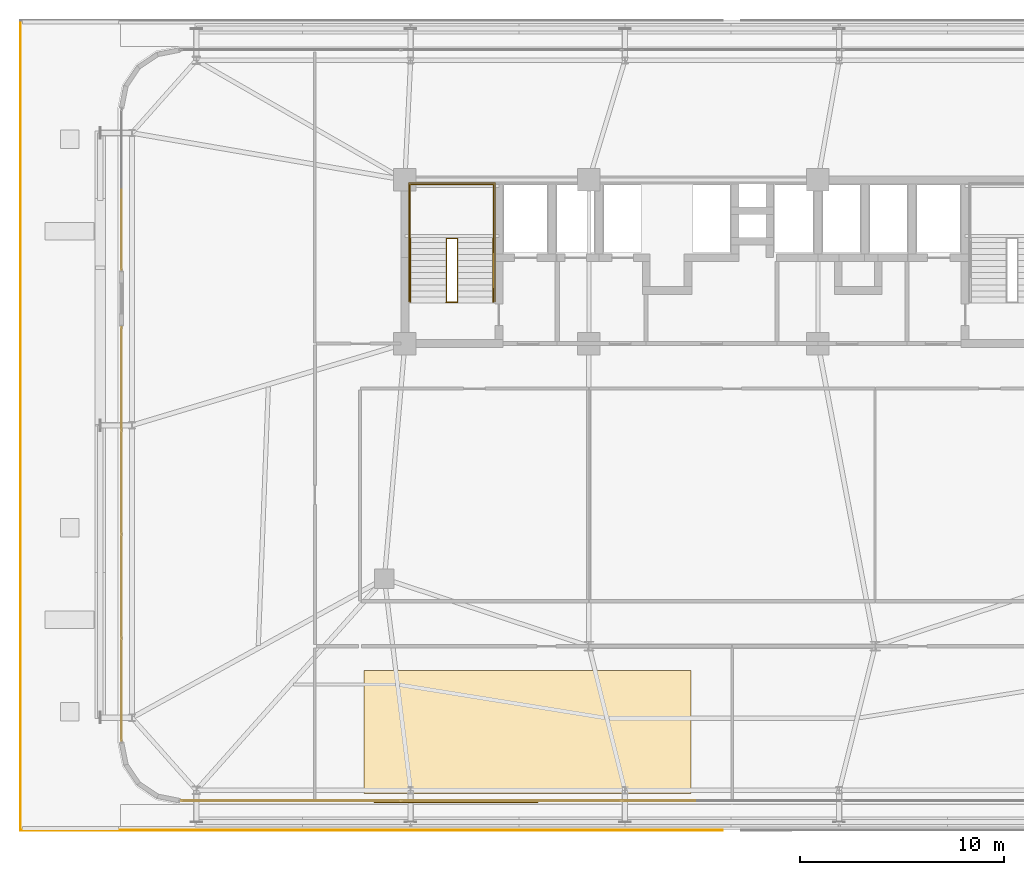
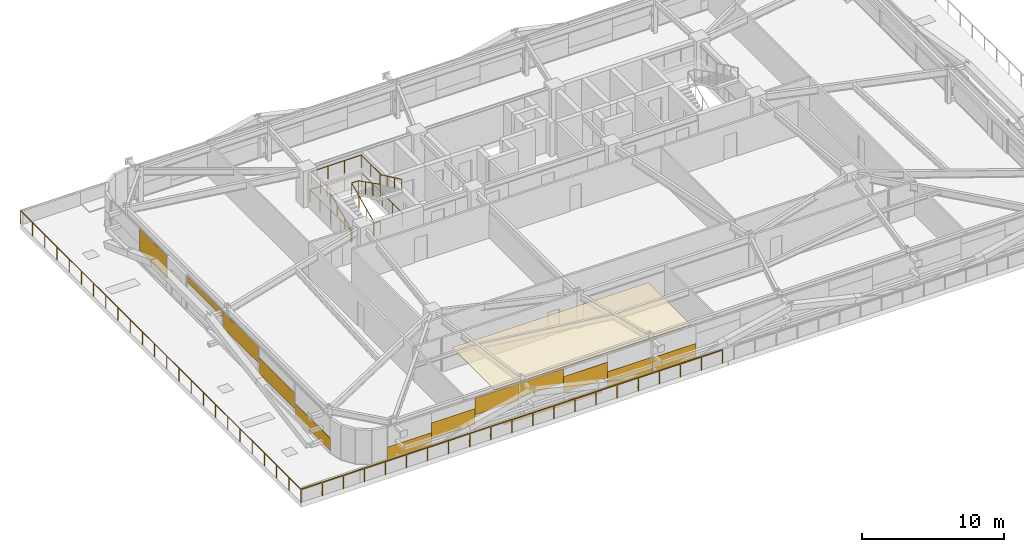
# One storey, part 53 of 56: 14 coverings, 8 railings.
"""IFC4 building model written with IfcOpenShell, lengths in metres."""

from ifc_helpers import new_model, si_unit, direction, frame, origin, origin_2d, place, context, subcontext, project, spatial, rectangle, extrude, source, transform, mapped, material, layer, layer_set, type_object, element, save


model = new_model("IFC4")

# Units and contexts
model_context = context("Model", 3, precision=1e-05, world=origin(), true_north=direction((0.0, 1.0)))
body_context = subcontext(model_context, "Body", "Model", "MODEL_VIEW")
ifc_project = project(units=[si_unit("LENGTHUNIT", "METRE"), si_unit("AREAUNIT", "SQUARE_METRE"), si_unit("VOLUMEUNIT", "CUBIC_METRE"), si_unit("PLANEANGLEUNIT", "RADIAN"), si_unit("MASSUNIT", "GRAM", prefix="KILO")], contexts=[model_context])

# Site, building, storey
site_placement = place(None, origin())
site = spatial("IfcSite", under=ifc_project, at=site_placement, CompositionType="ELEMENT")
building_placement = place(site_placement, origin())
building = spatial("IfcBuilding", under=site, at=building_placement, Name="Taldren Reach Tower", CompositionType="ELEMENT")
storey_placement = place(building_placement, frame((0.0, 0.0, 16.800048828125)))
storey = spatial("IfcBuildingStorey", under=building, at=storey_placement, Name="L04", CompositionType="ELEMENT", Elevation=16.800048828125)

# Railings
ifc_material_1 = material(Name="Steel Gr 350 (C350L0)", Category="steel")
ifc_layer_1 = layer(ifc_material_1, 0.050048828125)
ifc_layer_set_1 = layer_set([ifc_layer_1], Name="Steel Gr 350 (C350L0)")
railing_type_1 = type_object("IfcRailingType", Name="RL-STAIR-GR", PredefinedType="GUARDRAIL", material=ifc_layer_set_1)
railing_1_placement = place(storey_placement, frame((19.260009765625, 29.135009765625, 1.574951171875)))
element("IfcRailing", 1, at=railing_1_placement, inside=storey, type_object=railing_type_1, Name="Stair half-landing perimeter guard ST1-L04", PredefinedType="GUARDRAIL", context=body_context, shape_type="SweptSolid", body=[
    extrude(rectangle(XDim=0.047852, YDim=0.047852, at=origin_2d()), frame((0.0, 0.0, 1.09619140625), z_axis=(0.0, 1.0, 0.0), x_axis=(-1.0, 0.0, 0.0)), (0.0, 0.0, 1.0), 2.64501953125),
    extrude(rectangle(XDim=0.047852, YDim=0.047852, at=origin_2d()), frame((0.0, 2.64501953125, 1.09619140625), z_axis=(1.0, 0.0, 0.0), x_axis=(0.0, 1.0, 0.0)), (0.0, 0.0, 1.0), 4.080078125),
    extrude(rectangle(XDim=0.047852, YDim=0.047852, at=origin_2d()), frame((4.080078125, 2.64501953125, 1.09619140625), z_axis=(0.0, -1.0, 0.0), x_axis=(1.0, 0.0, 0.0)), (0.0, 0.0, 1.0), 2.64501953125),
    extrude(rectangle(XDim=0.041992, YDim=0.041992, at=origin_2d()), origin(), (0.0, 0.0, 1.0), 1.072021484375),
    extrude(rectangle(XDim=0.041992, YDim=0.041992, at=origin_2d()), frame((0.0, 1.322509765625, 0.0)), (0.0, 0.0, 1.0), 1.072021484375),
    extrude(rectangle(XDim=0.041992, YDim=0.041992, at=origin_2d()), frame((0.0, 2.64501953125, 0.0)), (0.0, 0.0, 1.0), 1.072021484375),
    extrude(rectangle(XDim=0.041992, YDim=0.041992, at=origin_2d()), frame((1.360107421875, 2.64501953125, 0.0)), (0.0, 0.0, 1.0), 1.072021484375),
    extrude(rectangle(XDim=0.041992, YDim=0.041992, at=origin_2d()), frame((2.719970703125, 2.64501953125, 0.0)), (0.0, 0.0, 1.0), 1.072021484375),
    extrude(rectangle(XDim=0.041992, YDim=0.041992, at=origin_2d()), frame((4.080078125, 2.64501953125, 0.0)), (0.0, 0.0, 1.0), 1.072021484375),
    extrude(rectangle(XDim=0.041992, YDim=0.041992, at=origin_2d()), frame((4.080078125, 1.322509765625, 0.0)), (0.0, 0.0, 1.0), 1.072021484375),
    extrude(rectangle(XDim=0.041992, YDim=0.041992, at=origin_2d()), frame((4.080078125, 0.0, 0.0)), (0.0, 0.0, 1.0), 1.072021484375),
])
railing_2_placement = place(storey_placement, frame((21.030029296875, 26.050048828125, 0.13134765625)))
element("IfcRailing", 2, at=railing_2_placement, inside=storey, type_object=railing_type_1, Name="Stairwell inner guard ST1-L04", PredefinedType="GUARDRAIL", context=body_context, shape_type="SweptSolid", body=[
    extrude(rectangle(XDim=0.047852, YDim=0.047852, at=origin_2d()), frame((0.0, 0.0, 1.09619140625), z_axis=(0.0, 0.905737652094, 0.423838773095), x_axis=(-1.0, 0.0, 0.0)), (0.0, 0.0, 1.0), 3.406005859375),
    extrude(rectangle(XDim=0.047852, YDim=0.047852, at=origin_2d()), frame((0.0, 3.0849609375, 2.53955078125), z_axis=(1.0, 0.0, 0.0), x_axis=(0.0, 1.0, 0.0)), (0.0, 0.0, 1.0), 0.5400390625),
    extrude(rectangle(XDim=0.047852, YDim=0.047852, at=origin_2d()), frame((0.5400390625, 3.0849609375, 2.53955078125), z_axis=(0.0, -0.890645957773, 0.45469745755), x_axis=(1.0, 0.0, 0.0)), (0.0, 0.0, 1.0), 3.463623046875),
    extrude(rectangle(XDim=0.041992, YDim=0.041992, at=origin_2d()), origin(), (0.0, 0.0, 1.0), 1.072021484375),
    extrude(rectangle(XDim=0.041992, YDim=0.041992, at=origin_2d()), frame((0.0, 1.0283203125, 0.481201171875)), (0.0, 0.0, 1.0), 1.072021484375),
    extrude(rectangle(XDim=0.041992, YDim=0.041992, at=origin_2d()), frame((0.0, 2.056640625, 0.96240234375)), (0.0, 0.0, 1.0), 1.072021484375),
    extrude(rectangle(XDim=0.041992, YDim=0.041992, at=origin_2d()), frame((0.0, 3.0849609375, 1.443603515625)), (0.0, 0.0, 1.0), 1.072021484375),
    extrude(rectangle(XDim=0.041992, YDim=0.041992, at=origin_2d()), frame((0.5400390625, 3.0849609375, 1.443603515625)), (0.0, 0.0, 1.0), 1.072021484375),
    extrude(rectangle(XDim=0.041992, YDim=0.041992, at=origin_2d()), frame((0.5400390625, 2.056640625, 1.968505859375)), (0.0, 0.0, 1.0), 1.072021484375),
    extrude(rectangle(XDim=0.041992, YDim=0.041992, at=origin_2d()), frame((0.5400390625, 1.0283203125, 2.49365234375)), (0.0, 0.0, 1.0), 1.072021484375),
    extrude(rectangle(XDim=0.041992, YDim=0.041992, at=origin_2d()), frame((0.5400390625, 0.0, 3.0185546875)), (0.0, 0.0, 1.0), 1.072021484375),
])
railing_3_placement = place(storey_placement, frame((21.030029296875, 26.010009765625, 0.0)))
element("IfcRailing", 3, at=railing_3_placement, inside=storey, type_object=railing_type_1, Name="Stairwell landing slot guard ST1-L04", PredefinedType="GUARDRAIL", context=body_context, shape_type="SweptSolid", body=[
    extrude(rectangle(XDim=0.047852, YDim=0.047852, at=origin_2d()), frame((0.0, 0.0, 1.09619140625), z_axis=(1.0, 0.0, 0.0), x_axis=(0.0, 1.0, 0.0)), (0.0, 0.0, 1.0), 0.5400390625),
    extrude(rectangle(XDim=0.041992, YDim=0.041992, at=origin_2d()), origin(), (0.0, 0.0, 1.0), 1.072021484375),
    extrude(rectangle(XDim=0.041992, YDim=0.041992, at=origin_2d()), frame((0.5400390625, 0.0, 0.0)), (0.0, 0.0, 1.0), 1.072021484375),
])
railing_4_placement = place(storey_placement, frame((19.18994140625, 26.050048828125, 0.0)))
element("IfcRailing", 4, at=railing_4_placement, inside=storey, type_object=railing_type_1, Name="Stairwell floor opening guard ST1-L04", PredefinedType="GUARDRAIL", context=body_context, shape_type="SweptSolid", body=[
    extrude(rectangle(XDim=0.047852, YDim=0.047852, at=origin_2d()), frame((0.0, 0.0, 1.09619140625), z_axis=(0.0, 1.0, 0.0), x_axis=(-1.0, 0.0, 0.0)), (0.0, 0.0, 1.0), 5.800048828125),
    extrude(rectangle(XDim=0.047852, YDim=0.047852, at=origin_2d()), frame((0.0, 5.800048828125, 1.09619140625), z_axis=(1.0, 0.0, 0.0), x_axis=(0.0, 1.0, 0.0)), (0.0, 0.0, 1.0), 4.219970703125),
    extrude(rectangle(XDim=0.047852, YDim=0.047852, at=origin_2d()), frame((4.219970703125, 5.800048828125, 1.09619140625), z_axis=(0.0, -1.0, 0.0), x_axis=(1.0, 0.0, 0.0)), (0.0, 0.0, 1.0), 5.800048828125),
    extrude(rectangle(XDim=0.041992, YDim=0.041992, at=origin_2d()), origin(), (0.0, 0.0, 1.0), 1.072021484375),
    extrude(rectangle(XDim=0.041992, YDim=0.041992, at=origin_2d()), frame((0.0, 1.449951171875, 0.0)), (0.0, 0.0, 1.0), 1.072021484375),
    extrude(rectangle(XDim=0.041992, YDim=0.041992, at=origin_2d()), frame((0.0, 2.89990234375, 0.0)), (0.0, 0.0, 1.0), 1.072021484375),
    extrude(rectangle(XDim=0.041992, YDim=0.041992, at=origin_2d()), frame((0.0, 4.35009765625, 0.0)), (0.0, 0.0, 1.0), 1.072021484375),
    extrude(rectangle(XDim=0.041992, YDim=0.041992, at=origin_2d()), frame((0.0, 5.800048828125, 0.0)), (0.0, 0.0, 1.0), 1.072021484375),
    extrude(rectangle(XDim=0.041992, YDim=0.041992, at=origin_2d()), frame((1.40673828125, 5.800048828125, 0.0)), (0.0, 0.0, 1.0), 1.072021484375),
    extrude(rectangle(XDim=0.041992, YDim=0.041992, at=origin_2d()), frame((2.813232421875, 5.800048828125, 0.0)), (0.0, 0.0, 1.0), 1.072021484375),
    extrude(rectangle(XDim=0.041992, YDim=0.041992, at=origin_2d()), frame((4.219970703125, 5.800048828125, 0.0)), (0.0, 0.0, 1.0), 1.072021484375),
    extrude(rectangle(XDim=0.041992, YDim=0.041992, at=origin_2d()), frame((4.219970703125, 4.35009765625, 0.0)), (0.0, 0.0, 1.0), 1.072021484375),
    extrude(rectangle(XDim=0.041992, YDim=0.041992, at=origin_2d()), frame((4.219970703125, 2.89990234375, 0.0)), (0.0, 0.0, 1.0), 1.072021484375),
    extrude(rectangle(XDim=0.041992, YDim=0.041992, at=origin_2d()), frame((4.219970703125, 1.449951171875, 0.0)), (0.0, 0.0, 1.0), 1.072021484375),
    extrude(rectangle(XDim=0.041992, YDim=0.041992, at=origin_2d()), frame((4.219970703125, 0.0, 0.0)), (0.0, 0.0, 1.0), 1.072021484375),
])
ifc_material_2 = material(Name="Stainless Steel Gr 316", Category="steel")
ifc_layer_2 = layer(ifc_material_2, 0.048095703125)
ifc_layer_set_2 = layer_set([ifc_layer_2], Name="Stainless Steel Gr 316")
railing_type_2 = type_object("IfcRailingType", Name="RL-STAIR-HR", PredefinedType="HANDRAIL", material=ifc_layer_set_2)
railing_5_placement = place(storey_placement, frame((19.27001953125, 26.050048828125, 0.13134765625)))
element("IfcRailing", 5, at=railing_5_placement, inside=storey, type_object=railing_type_2, Name="Stair flight handrail ST1-L04-1", PredefinedType="HANDRAIL", context=body_context, shape_type="SweptSolid", body=[
    extrude(rectangle(XDim=0.047852, YDim=0.047852, at=origin_2d()), frame((0.0, 0.0, 0.89599609375), z_axis=(0.0, 0.905737652094, 0.423838773095), x_axis=(-1.0, 0.0, 0.0)), (0.0, 0.0, 1.0), 3.406005859375),
    extrude(rectangle(XDim=0.041992, YDim=0.041992, at=origin_2d()), origin(), (0.0, 0.0, 1.0), 0.871826171875),
    extrude(rectangle(XDim=0.041992, YDim=0.041992, at=origin_2d()), frame((0.0, 1.0283203125, 0.481201171875)), (0.0, 0.0, 1.0), 0.871826171875),
    extrude(rectangle(XDim=0.041992, YDim=0.041992, at=origin_2d()), frame((0.0, 2.056640625, 0.96240234375)), (0.0, 0.0, 1.0), 0.871826171875),
    extrude(rectangle(XDim=0.041992, YDim=0.041992, at=origin_2d()), frame((0.0, 3.0849609375, 1.443603515625)), (0.0, 0.0, 1.0), 0.871826171875),
])
railing_6_placement = place(storey_placement, frame((23.330078125, 29.135009765625, 1.706298828125)))
element("IfcRailing", 6, at=railing_6_placement, inside=storey, type_object=railing_type_2, Name="Stair flight handrail ST1-L04-2", PredefinedType="HANDRAIL", context=body_context, shape_type="SweptSolid", body=[
    extrude(rectangle(XDim=0.047852, YDim=0.047852, at=origin_2d()), frame((0.0, 0.0, 0.89599609375), z_axis=(0.0, -0.905737652094, 0.423838773095), x_axis=(1.0, 0.0, 0.0)), (0.0, 0.0, 1.0), 3.406005859375),
    extrude(rectangle(XDim=0.041992, YDim=0.041992, at=origin_2d()), origin(), (0.0, 0.0, 1.0), 0.871826171875),
    extrude(rectangle(XDim=0.041992, YDim=0.041992, at=origin_2d()), frame((0.0, -1.0283203125, 0.481201171875)), (0.0, 0.0, 1.0), 0.871826171875),
    extrude(rectangle(XDim=0.041992, YDim=0.041992, at=origin_2d()), frame((0.0, -2.056640625, 0.96240234375)), (0.0, 0.0, 1.0), 0.871826171875),
    extrude(rectangle(XDim=0.041992, YDim=0.041992, at=origin_2d()), frame((0.0, -3.0849609375, 1.443603515625)), (0.0, 0.0, 1.0), 0.871826171875),
])
ifc_material_3 = material(Name="Laminated Glass and Pale-Anodised Aluminium Balustrade", Category="aluminium")
ifc_layer_3 = layer(ifc_material_3, 0.070068359375)
ifc_layer_set_3 = layer_set([ifc_layer_3], Name="Laminated Glass and Pale-Anodised Aluminium Balustrade")
railing_type_3 = type_object("IfcRailingType", Name="RL-TERR-1150", PredefinedType="GUARDRAIL", material=ifc_layer_set_3)
railing_7_placement = place(storey_placement, frame((34.530029296875, 0.199951171875, 0.0)))
element("IfcRailing", 7, at=railing_7_placement, inside=storey, type_object=railing_type_3, Name="Outdoor terrace guardrail TERR-L04-WEST-01", PredefinedType="GUARDRAIL", context=body_context, shape_type="SweptSolid", body=[
    extrude(rectangle(XDim=0.047852, YDim=0.047852, at=origin_2d()), frame((0.0, 0.0, 1.1259765625), z_axis=(-1.0, 0.0, 0.0), x_axis=(0.0, -1.0, 0.0)), (0.0, 0.0, 1.0), 34.330078125),
    extrude(rectangle(XDim=0.041992, YDim=0.041992, at=origin_2d()), origin(), (0.0, 0.0, 1.0), 1.101806640625),
    extrude(rectangle(XDim=0.041992, YDim=0.041992, at=origin_2d()), frame((-1.716552734375, 0.0, 0.0)), (0.0, 0.0, 1.0), 1.101806640625),
    extrude(rectangle(XDim=0.041992, YDim=0.041992, at=origin_2d()), frame((-3.43310546875, 0.0, 0.0)), (0.0, 0.0, 1.0), 1.101806640625),
    extrude(rectangle(XDim=0.041992, YDim=0.041992, at=origin_2d()), frame((-5.1494140625, 0.0, 0.0)), (0.0, 0.0, 1.0), 1.101806640625),
    extrude(rectangle(XDim=0.041992, YDim=0.041992, at=origin_2d()), frame((-6.865966796875, 0.0, 0.0)), (0.0, 0.0, 1.0), 1.101806640625),
    extrude(rectangle(XDim=0.041992, YDim=0.041992, at=origin_2d()), frame((-8.58251953125, 0.0, 0.0)), (0.0, 0.0, 1.0), 1.101806640625),
    extrude(rectangle(XDim=0.041992, YDim=0.041992, at=origin_2d()), frame((-10.299072265625, 0.0, 0.0)), (0.0, 0.0, 1.0), 1.101806640625),
    extrude(rectangle(XDim=0.041992, YDim=0.041992, at=origin_2d()), frame((-12.015625, 0.0, 0.0)), (0.0, 0.0, 1.0), 1.101806640625),
    extrude(rectangle(XDim=0.041992, YDim=0.041992, at=origin_2d()), frame((-13.73193359375, 0.0, 0.0)), (0.0, 0.0, 1.0), 1.101806640625),
    extrude(rectangle(XDim=0.041992, YDim=0.041992, at=origin_2d()), frame((-15.448486328125, 0.0, 0.0)), (0.0, 0.0, 1.0), 1.101806640625),
    extrude(rectangle(XDim=0.041992, YDim=0.041992, at=origin_2d()), frame((-17.1650390625, 0.0, 0.0)), (0.0, 0.0, 1.0), 1.101806640625),
    extrude(rectangle(XDim=0.041992, YDim=0.041992, at=origin_2d()), frame((-18.881591796875, 0.0, 0.0)), (0.0, 0.0, 1.0), 1.101806640625),
    extrude(rectangle(XDim=0.041992, YDim=0.041992, at=origin_2d()), frame((-20.59814453125, 0.0, 0.0)), (0.0, 0.0, 1.0), 1.101806640625),
    extrude(rectangle(XDim=0.041992, YDim=0.041992, at=origin_2d()), frame((-22.314453125, 0.0, 0.0)), (0.0, 0.0, 1.0), 1.101806640625),
    extrude(rectangle(XDim=0.041992, YDim=0.041992, at=origin_2d()), frame((-24.031005859375, 0.0, 0.0)), (0.0, 0.0, 1.0), 1.101806640625),
    extrude(rectangle(XDim=0.041992, YDim=0.041992, at=origin_2d()), frame((-25.74755859375, 0.0, 0.0)), (0.0, 0.0, 1.0), 1.101806640625),
    extrude(rectangle(XDim=0.041992, YDim=0.041992, at=origin_2d()), frame((-27.464111328125, 0.0, 0.0)), (0.0, 0.0, 1.0), 1.101806640625),
    extrude(rectangle(XDim=0.041992, YDim=0.041992, at=origin_2d()), frame((-29.1806640625, 0.0, 0.0)), (0.0, 0.0, 1.0), 1.101806640625),
    extrude(rectangle(XDim=0.041992, YDim=0.041992, at=origin_2d()), frame((-30.89697265625, 0.0, 0.0)), (0.0, 0.0, 1.0), 1.101806640625),
    extrude(rectangle(XDim=0.041992, YDim=0.041992, at=origin_2d()), frame((-32.613525390625, 0.0, 0.0)), (0.0, 0.0, 1.0), 1.101806640625),
    extrude(rectangle(XDim=0.041992, YDim=0.041992, at=origin_2d()), frame((-34.330078125, 0.0, 0.0)), (0.0, 0.0, 1.0), 1.101806640625),
])
railing_8_placement = place(storey_placement, frame((0.199951171875, 0.199951171875, 0.0)))
element("IfcRailing", 8, at=railing_8_placement, inside=storey, type_object=railing_type_3, Name="Outdoor terrace guardrail TERR-L04-WEST-02", PredefinedType="GUARDRAIL", context=body_context, shape_type="SweptSolid", body=[
    extrude(rectangle(XDim=0.047852, YDim=0.047852, at=origin_2d()), frame((0.0, 0.0, 1.1259765625), z_axis=(0.0, 1.0, 0.0), x_axis=(-1.0, 0.0, 0.0)), (0.0, 0.0, 1.0), 39.60009765625),
    extrude(rectangle(XDim=0.041992, YDim=0.041992, at=origin_2d()), origin(), (0.0, 0.0, 1.0), 1.101806640625),
    extrude(rectangle(XDim=0.041992, YDim=0.041992, at=origin_2d()), frame((0.0, 1.7216796875, 0.0)), (0.0, 0.0, 1.0), 1.101806640625),
    extrude(rectangle(XDim=0.041992, YDim=0.041992, at=origin_2d()), frame((0.0, 3.443603515625, 0.0)), (0.0, 0.0, 1.0), 1.101806640625),
    extrude(rectangle(XDim=0.041992, YDim=0.041992, at=origin_2d()), frame((0.0, 5.165283203125, 0.0)), (0.0, 0.0, 1.0), 1.101806640625),
    extrude(rectangle(XDim=0.041992, YDim=0.041992, at=origin_2d()), frame((0.0, 6.886962890625, 0.0)), (0.0, 0.0, 1.0), 1.101806640625),
    extrude(rectangle(XDim=0.041992, YDim=0.041992, at=origin_2d()), frame((0.0, 8.608642578125, 0.0)), (0.0, 0.0, 1.0), 1.101806640625),
    extrude(rectangle(XDim=0.041992, YDim=0.041992, at=origin_2d()), frame((0.0, 10.33056640625, 0.0)), (0.0, 0.0, 1.0), 1.101806640625),
    extrude(rectangle(XDim=0.041992, YDim=0.041992, at=origin_2d()), frame((0.0, 12.05224609375, 0.0)), (0.0, 0.0, 1.0), 1.101806640625),
    extrude(rectangle(XDim=0.041992, YDim=0.041992, at=origin_2d()), frame((0.0, 13.77392578125, 0.0)), (0.0, 0.0, 1.0), 1.101806640625),
    extrude(rectangle(XDim=0.041992, YDim=0.041992, at=origin_2d()), frame((0.0, 15.49560546875, 0.0)), (0.0, 0.0, 1.0), 1.101806640625),
    extrude(rectangle(XDim=0.041992, YDim=0.041992, at=origin_2d()), frame((0.0, 17.217529296875, 0.0)), (0.0, 0.0, 1.0), 1.101806640625),
    extrude(rectangle(XDim=0.041992, YDim=0.041992, at=origin_2d()), frame((0.0, 18.939208984375, 0.0)), (0.0, 0.0, 1.0), 1.101806640625),
    extrude(rectangle(XDim=0.041992, YDim=0.041992, at=origin_2d()), frame((0.0, 20.660888671875, 0.0)), (0.0, 0.0, 1.0), 1.101806640625),
    extrude(rectangle(XDim=0.041992, YDim=0.041992, at=origin_2d()), frame((0.0, 22.382568359375, 0.0)), (0.0, 0.0, 1.0), 1.101806640625),
    extrude(rectangle(XDim=0.041992, YDim=0.041992, at=origin_2d()), frame((0.0, 24.1044921875, 0.0)), (0.0, 0.0, 1.0), 1.101806640625),
    extrude(rectangle(XDim=0.041992, YDim=0.041992, at=origin_2d()), frame((0.0, 25.826171875, 0.0)), (0.0, 0.0, 1.0), 1.101806640625),
    extrude(rectangle(XDim=0.041992, YDim=0.041992, at=origin_2d()), frame((0.0, 27.5478515625, 0.0)), (0.0, 0.0, 1.0), 1.101806640625),
    extrude(rectangle(XDim=0.041992, YDim=0.041992, at=origin_2d()), frame((0.0, 29.26953125, 0.0)), (0.0, 0.0, 1.0), 1.101806640625),
    extrude(rectangle(XDim=0.041992, YDim=0.041992, at=origin_2d()), frame((0.0, 30.991455078125, 0.0)), (0.0, 0.0, 1.0), 1.101806640625),
    extrude(rectangle(XDim=0.041992, YDim=0.041992, at=origin_2d()), frame((0.0, 32.713134765625, 0.0)), (0.0, 0.0, 1.0), 1.101806640625),
    extrude(rectangle(XDim=0.041992, YDim=0.041992, at=origin_2d()), frame((0.0, 34.434814453125, 0.0)), (0.0, 0.0, 1.0), 1.101806640625),
    extrude(rectangle(XDim=0.041992, YDim=0.041992, at=origin_2d()), frame((0.0, 36.156494140625, 0.0)), (0.0, 0.0, 1.0), 1.101806640625),
    extrude(rectangle(XDim=0.041992, YDim=0.041992, at=origin_2d()), frame((0.0, 37.87841796875, 0.0)), (0.0, 0.0, 1.0), 1.101806640625),
    extrude(rectangle(XDim=0.041992, YDim=0.041992, at=origin_2d()), frame((0.0, 39.60009765625, 0.0)), (0.0, 0.0, 1.0), 1.101806640625),
])

# Coverings
ifc_material_4 = material(Name="Pale Champagne Fluoropolymer Aluminium Spandrel Cladding", Category="aluminium")
ifc_layer_4 = layer(ifc_material_4, 0.06005859375)
ifc_layer_set_4 = layer_set([ifc_layer_4], Name="Pale Champagne Fluoropolymer Aluminium Spandrel Cladding")
covering_type_1 = type_object("IfcCoveringType", Name="CV-CLAD-060", PredefinedType="CLADDING", material=ifc_layer_set_4)
shared_shape_1 = source(origin(), body_context, "Body", "SweptSolid", [
    extrude(rectangle(XDim=8.0, YDim=0.06005859375, at=origin_2d()), origin(), (0.0, 0.0, 1.0), 0.219970703125),
])
covering_1_placement = place(storey_placement, frame((21.5, 1.580078125, -0.22021484375), z_axis=(0.0, 0.0, 1.0), x_axis=(1.0, 0.0, 0.0)))
element("IfcCovering", 9, at=covering_1_placement, inside=storey, type_object=covering_type_1, Name="Pale-metal architectural fascia band L04", PredefinedType="CLADDING", context=body_context, shape_type="MappedRepresentation", body=[
    mapped(shared_shape_1, transform((0.0, 0.0, 0.0), scale=1.0)),
])
ifc_material_5 = material(Name="Perforated Acoustic Mineral-Fibre Ceiling Tile")
ifc_layer_5 = layer(ifc_material_5, 0.02490234375)
ifc_layer_set_5 = layer_set([ifc_layer_5], Name="Perforated Acoustic Mineral-Fibre Ceiling Tile")
covering_type_2 = type_object("IfcCoveringType", Name="CV-CEIL-025", PredefinedType="CEILING", material=ifc_layer_set_5)
shared_shape_2 = source(origin(), body_context, "Body", "SweptSolid", [
    extrude(rectangle(XDim=16.0, YDim=6.0, at=origin_2d()), origin(), (0.0, 0.0, 1.0), 0.02490234375),
])
covering_2_placement = place(storey_placement, frame((25.0, 5.0, 2.70751953125), z_axis=(0.0, 0.0, 1.0), x_axis=(1.0, 0.0, 0.0)))
element("IfcCovering", 10, at=covering_2_placement, inside=storey, type_object=covering_type_2, Name="Suspended acoustic ceiling L04-07", PredefinedType="CEILING", context=body_context, shape_type="MappedRepresentation", body=[
    mapped(shared_shape_2, transform((0.0, 0.0, 0.0), scale=1.0)),
])
ifc_layer_6 = layer(ifc_material_4, 0.0439453125)
ifc_layer_set_6 = layer_set([ifc_layer_6], Name="Pale Champagne Fluoropolymer Aluminium Spandrel Cladding")
covering_type_3 = type_object("IfcCoveringType", Name="CV-CLAD-044", PredefinedType="CLADDING", material=ifc_layer_set_6)
shared_shape_3 = source(origin(), body_context, "Body", "SweptSolid", [
    extrude(rectangle(XDim=3.5673828125, YDim=0.0439453125, at=origin_2d()), origin(), (0.0, 0.0, 1.0), 1.088623046875),
])
covering_3_placement = place(storey_placement, frame((9.8486328125, 1.639892578125, 0.0546875), z_axis=(0.0, 0.0, 1.0), x_axis=(1.0, 0.0, 0.0)))
element("IfcCovering", 11, at=covering_3_placement, inside=storey, type_object=covering_type_3, Name="Diagrid closure cladding strip CW-2 panel 1.1 1", PredefinedType="CLADDING", context=body_context, shape_type="MappedRepresentation", body=[
    mapped(shared_shape_3, transform((0.0, 0.0, 0.0), scale=1.0)),
])
shared_shape_4 = source(origin(), body_context, "Body", "SweptSolid", [
    extrude(rectangle(XDim=3.5673828125, YDim=0.0439453125, at=origin_2d()), origin(), (0.0, 0.0, 1.0), 1.36083984375),
])
covering_4_placement = place(storey_placement, frame((13.416259765625, 1.639892578125, 0.60986328125), z_axis=(0.0, 0.0, 1.0), x_axis=(1.0, 0.0, 0.0)))
element("IfcCovering", 12, at=covering_4_placement, inside=storey, type_object=covering_type_3, Name="Diagrid closure cladding strip CW-2 panel 1.1 2", PredefinedType="CLADDING", context=body_context, shape_type="MappedRepresentation", body=[
    mapped(shared_shape_4, transform((0.0, 0.0, 0.0), scale=1.0)),
])
shared_shape_5 = source(origin(), body_context, "Body", "SweptSolid", [
    extrude(rectangle(XDim=3.5673828125, YDim=0.0439453125, at=origin_2d()), origin(), (0.0, 0.0, 1.0), 1.437744140625),
])
covering_5_placement = place(storey_placement, frame((16.983642578125, 1.639892578125, 1.43701171875), z_axis=(0.0, 0.0, 1.0), x_axis=(1.0, 0.0, 0.0)))
element("IfcCovering", 13, at=covering_5_placement, inside=storey, type_object=covering_type_3, Name="Diagrid closure cladding strip CW-2 panel 1.1 3", PredefinedType="CLADDING", context=body_context, shape_type="MappedRepresentation", body=[
    mapped(shared_shape_5, transform((0.0, 0.0, 0.0), scale=1.0)),
])
shared_shape_6 = source(origin(), body_context, "Body", "SweptSolid", [
    extrude(rectangle(XDim=3.578369140625, YDim=0.0439453125, at=origin_2d()), origin(), (0.0, 0.0, 1.0), 1.2177734375),
])
covering_6_placement = place(storey_placement, frame((20.62158203125, 1.639892578125, 1.6572265625), z_axis=(0.0, 0.0, 1.0), x_axis=(1.0, 0.0, 0.0)))
element("IfcCovering", 14, at=covering_6_placement, inside=storey, type_object=covering_type_3, Name="Diagrid closure cladding strip CW-2 panel 2.1 1", PredefinedType="CLADDING", context=body_context, shape_type="MappedRepresentation", body=[
    mapped(shared_shape_6, transform((0.0, 0.0, 0.0), scale=1.0)),
])
shared_shape_7 = source(origin(), body_context, "Body", "SweptSolid", [
    extrude(rectangle(XDim=3.578369140625, YDim=0.0439453125, at=origin_2d()), origin(), (0.0, 0.0, 1.0), 1.36328125),
])
covering_7_placement = place(storey_placement, frame((24.199951171875, 1.639892578125, 0.827392578125), z_axis=(0.0, 0.0, 1.0), x_axis=(1.0, 0.0, 0.0)))
element("IfcCovering", 15, at=covering_7_placement, inside=storey, type_object=covering_type_3, Name="Diagrid closure cladding strip CW-2 panel 2.1 2", PredefinedType="CLADDING", context=body_context, shape_type="MappedRepresentation", body=[
    mapped(shared_shape_7, transform((0.0, 0.0, 0.0), scale=1.0)),
])
shared_shape_8 = source(origin(), body_context, "Body", "SweptSolid", [
    extrude(rectangle(XDim=3.578369140625, YDim=0.0439453125, at=origin_2d()), origin(), (0.0, 0.0, 1.0), 1.30615234375),
])
covering_8_placement = place(storey_placement, frame((27.7783203125, 1.639892578125, 0.054931640625), z_axis=(0.0, 0.0, 1.0), x_axis=(1.0, 0.0, 0.0)))
element("IfcCovering", 16, at=covering_8_placement, inside=storey, type_object=covering_type_3, Name="Diagrid closure cladding strip CW-2 panel 2.1 3", PredefinedType="CLADDING", context=body_context, shape_type="MappedRepresentation", body=[
    mapped(shared_shape_8, transform((0.0, 0.0, 0.0), scale=1.0)),
])
shared_shape_9 = source(origin(), body_context, "Body", "SweptSolid", [
    extrude(rectangle(XDim=3.578369140625, YDim=0.0439453125, at=origin_2d()), origin(), (0.0, 0.0, 1.0), 1.23193359375),
])
covering_9_placement = place(storey_placement, frame((31.421630859375, 1.639892578125, 0.054931640625), z_axis=(0.0, 0.0, 1.0), x_axis=(1.0, 0.0, 0.0)))
element("IfcCovering", 17, at=covering_9_placement, inside=storey, type_object=covering_type_3, Name="Diagrid closure cladding strip CW-2 panel 3.1 1", PredefinedType="CLADDING", context=body_context, shape_type="MappedRepresentation", body=[
    mapped(shared_shape_9, transform((0.0, 0.0, 0.0), scale=1.0)),
])
shared_shape_10 = source(origin(), body_context, "Body", "SweptSolid", [
    extrude(rectangle(XDim=3.909912109375, YDim=0.0439453125, at=origin_2d()), origin(), (0.0, 0.0, 1.0), 1.909912109375),
])
covering_10_placement = place(storey_placement, frame((5.139892578125, 29.570068359375, 0.96484375), z_axis=(0.0, 0.0, 1.0), x_axis=(0.0, -1.0, 0.0)))
element("IfcCovering", 18, at=covering_10_placement, inside=storey, type_object=covering_type_3, Name="Diagrid closure cladding strip CW-2 panel 1.1 2", PredefinedType="CLADDING", context=body_context, shape_type="MappedRepresentation", body=[
    mapped(shared_shape_10, transform((0.0, 0.0, 0.0), scale=1.0)),
])
shared_shape_11 = source(origin(), body_context, "Body", "SweptSolid", [
    extrude(rectangle(XDim=4.989990234375, YDim=0.0439453125, at=origin_2d()), origin(), (0.0, 0.0, 1.0), 0.5234375),
])
covering_11_placement = place(storey_placement, frame((5.139892578125, 22.2900390625, 2.3515625), z_axis=(0.0, 0.0, 1.0), x_axis=(0.0, -1.0, 0.0)))
element("IfcCovering", 19, at=covering_11_placement, inside=storey, type_object=covering_type_3, Name="Diagrid closure cladding strip CW-2 panel 1.1 1", PredefinedType="CLADDING", context=body_context, shape_type="MappedRepresentation", body=[
    mapped(shared_shape_11, transform((0.0, 0.0, 0.0), scale=1.0)),
])
shared_shape_12 = source(origin(), body_context, "Body", "SweptSolid", [
    extrude(rectangle(XDim=5.0224609375, YDim=0.0439453125, at=origin_2d()), origin(), (0.0, 0.0, 1.0), 1.387939453125),
])
covering_12_placement = place(storey_placement, frame((5.139892578125, 17.21875, 1.48681640625), z_axis=(0.0, 0.0, 1.0), x_axis=(0.0, -1.0, 0.0)))
element("IfcCovering", 20, at=covering_12_placement, inside=storey, type_object=covering_type_3, Name="Diagrid closure cladding strip CW-2 panel 2.1 1", PredefinedType="CLADDING", context=body_context, shape_type="MappedRepresentation", body=[
    mapped(shared_shape_12, transform((0.0, 0.0, 0.0), scale=1.0)),
])
shared_shape_13 = source(origin(), body_context, "Body", "SweptSolid", [
    extrude(rectangle(XDim=5.0224609375, YDim=0.0439453125, at=origin_2d()), origin(), (0.0, 0.0, 1.0), 1.380859375),
])
covering_13_placement = place(storey_placement, frame((5.139892578125, 12.13134765625, 0.622314453125), z_axis=(0.0, 0.0, 1.0), x_axis=(0.0, -1.0, 0.0)))
element("IfcCovering", 21, at=covering_13_placement, inside=storey, type_object=covering_type_3, Name="Diagrid closure cladding strip CW-2 panel 3.1 1", PredefinedType="CLADDING", context=body_context, shape_type="MappedRepresentation", body=[
    mapped(shared_shape_13, transform((0.0, 0.0, 0.0), scale=1.0)),
])
shared_shape_14 = source(origin(), body_context, "Body", "SweptSolid", [
    extrude(rectangle(XDim=4.989990234375, YDim=0.0439453125, at=origin_2d()), origin(), (0.0, 0.0, 1.0), 1.083740234375),
])
covering_14_placement = place(storey_placement, frame((5.139892578125, 7.06005859375, 0.05517578125), z_axis=(0.0, 0.0, 1.0), x_axis=(0.0, -1.0, 0.0)))
element("IfcCovering", 22, at=covering_14_placement, inside=storey, type_object=covering_type_3, Name="Diagrid closure cladding strip CW-2 panel 4.1 1", PredefinedType="CLADDING", context=body_context, shape_type="MappedRepresentation", body=[
    mapped(shared_shape_14, transform((0.0, 0.0, 0.0), scale=1.0)),
])

save(model, "model.ifc")
